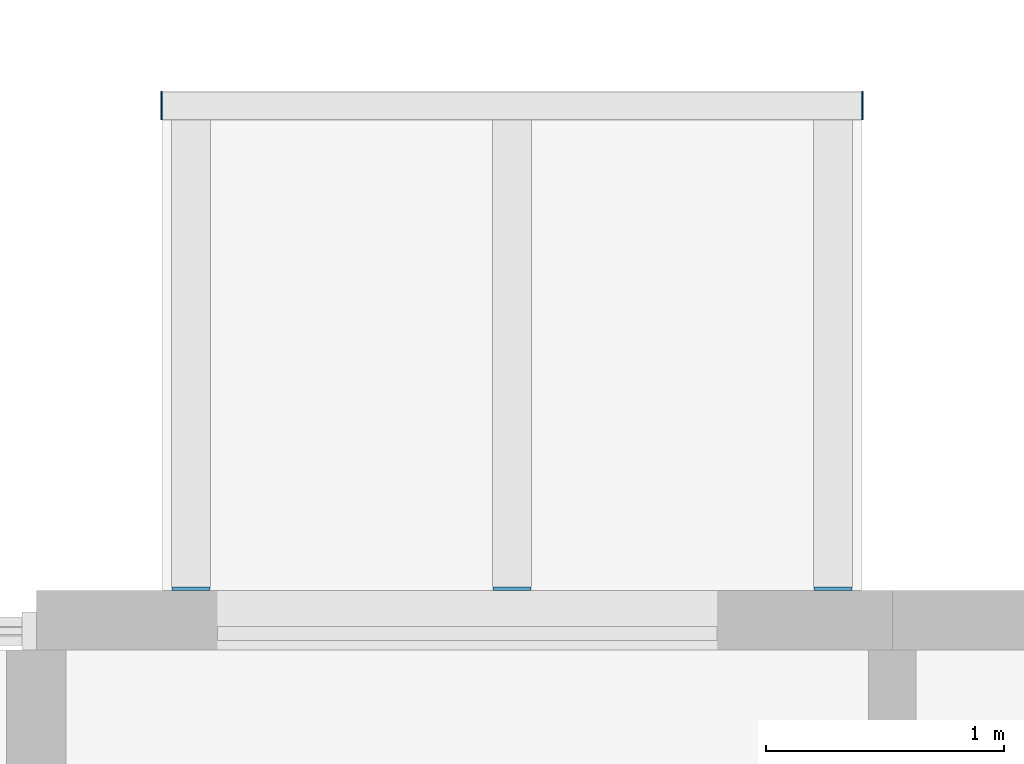
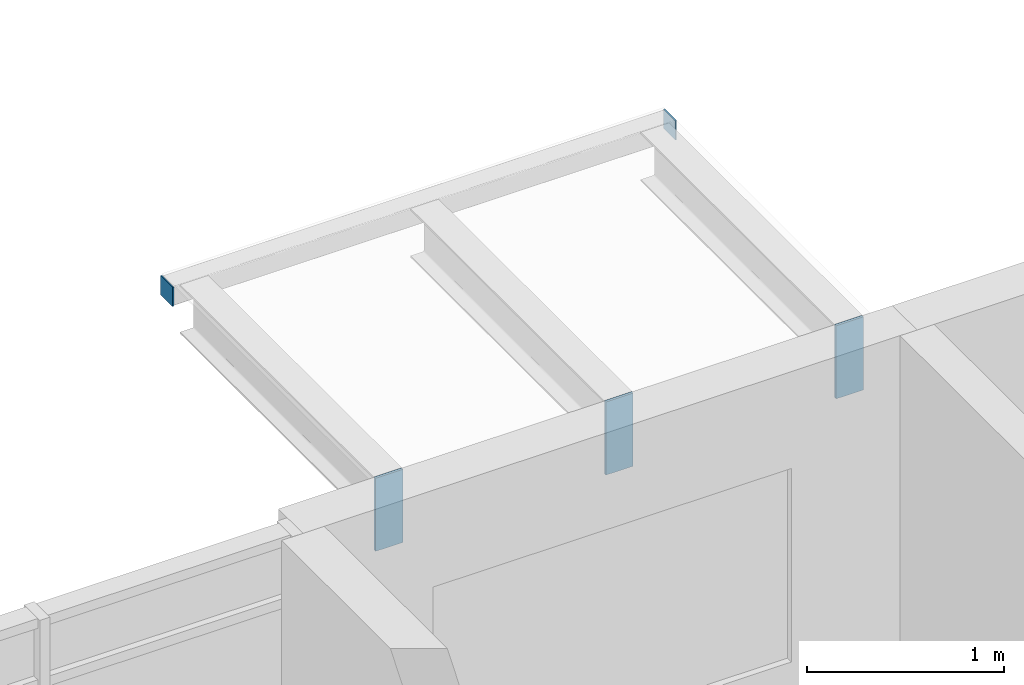
# One storey, part 69 of 100: 5 discrete accessories.
"""IFC4 building model written with IfcOpenShell, lengths in metres."""

from ifc_helpers import new_model, si_unit, direction, frame, origin, origin_2d, place, context, subcontext, project, spatial, rectangle, extrude, material, layer, layer_set, type_object, element, save


model = new_model("IFC4")

# Units and contexts
model_context = context("Model", 3, precision=1e-05, world=origin(), true_north=direction((0.0, 1.0)))
body_context = subcontext(model_context, "Body", "Model", "MODEL_VIEW")
ifc_project = project(units=[si_unit("LENGTHUNIT", "METRE"), si_unit("AREAUNIT", "SQUARE_METRE"), si_unit("VOLUMEUNIT", "CUBIC_METRE"), si_unit("PLANEANGLEUNIT", "RADIAN"), si_unit("MASSUNIT", "GRAM", prefix="KILO")], contexts=[model_context])

# Site, building, storey
site_placement = place(None, origin())
site = spatial("IfcSite", under=ifc_project, at=site_placement, CompositionType="ELEMENT")
building_placement = place(site_placement, origin())
building = spatial("IfcBuilding", under=site, at=building_placement, Name="Ridgestep Commons", CompositionType="ELEMENT")
storey_placement = place(building_placement, frame((0.0, 0.0, 9.0)))
storey = spatial("IfcBuildingStorey", under=building, at=storey_placement, Name="L03", CompositionType="ELEMENT", Elevation=9.0)

# Discrete accessories
ifc_material_1 = material(Name="Weathering steel S355J2W", Category="steel")
ifc_layer_1 = layer(ifc_material_1, 0.014892578125)
ifc_layer_set_1 = layer_set([ifc_layer_1], Name="Tray bracket plate 15")
discrete_accessory_type_1 = type_object("IfcDiscreteAccessoryType", Name="Tray bracket plate 15", PredefinedType="BRACKET", material=ifc_layer_set_1)
for number, where, z_axis, x_axis, name in (
    (1, (85.85009765625, 77.257568359375, 2.53662109375), (0.0, 0.0, 1.0), (1.0, 0.0, 0.0), "Tray bracket B5T3-04.1"),
    (2, (87.199951171875, 77.257568359375, 2.53662109375), (0.0, 0.0, 1.0), (1.0, 0.0, 0.0), "Tray bracket B5T3-04.2"),
    (3, (88.550048828125, 77.257568359375, 2.53662109375), (0.0, 0.0, 1.0), (1.0, 0.0, 0.0), "Tray bracket B5T3-04.3"),
):
    element("IfcDiscreteAccessory", number, at=place(storey_placement, frame(where, z_axis=z_axis, x_axis=x_axis)), inside=storey, type_object=discrete_accessory_type_1, Name=name, PredefinedType="BRACKET", context=body_context, shape_type="SweptSolid", body=[
        extrude(rectangle(XDim=0.159912109375, YDim=0.014892578125, at=origin_2d()), origin(), (0.0, 0.0, 1.0), 0.453369140625),
    ])
ifc_material_2 = material(Name="Weathering steel S355J2W", Category="steel")
ifc_layer_2 = layer(ifc_material_2, 0.008056640625)
ifc_layer_set_2 = layer_set([ifc_layer_2], Name="Tray edge member end plate 120 x 120 x 8")
discrete_accessory_type_2 = type_object("IfcDiscreteAccessoryType", Name="Tray edge member end plate 120 x 120 x 8", PredefinedType="BRACKET", material=ifc_layer_set_2)
for number, where, z_axis, x_axis, name in (
    (4, (85.72607421875, 79.2900390625, 2.869873046875), (0.0, 0.0, 1.0), (1.0, 0.0, 0.0), "Tray edge member end plate B5T3-04 west"),
    (5, (88.674072265625, 79.2900390625, 2.869873046875), (0.0, 0.0, 1.0), (1.0, 0.0, 0.0), "Tray edge member end plate B5T3-04 east"),
):
    element("IfcDiscreteAccessory", number, at=place(storey_placement, frame(where, z_axis=z_axis, x_axis=x_axis)), inside=storey, type_object=discrete_accessory_type_2, Name=name, PredefinedType="BRACKET", context=body_context, shape_type="SweptSolid", body=[
        extrude(rectangle(XDim=0.008056640625, YDim=0.1201171875, at=origin_2d()), origin(), (0.0, 0.0, 1.0), 0.1201171875),
    ])

save(model, "model.ifc")
